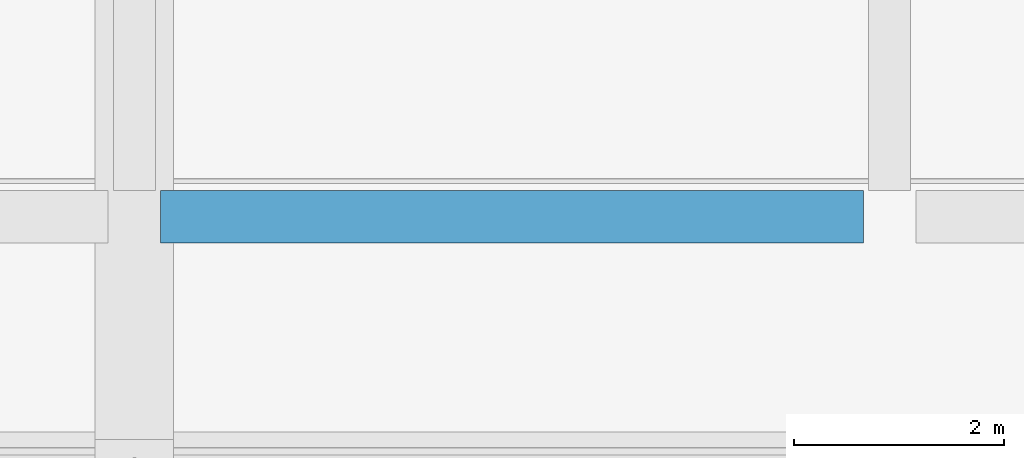
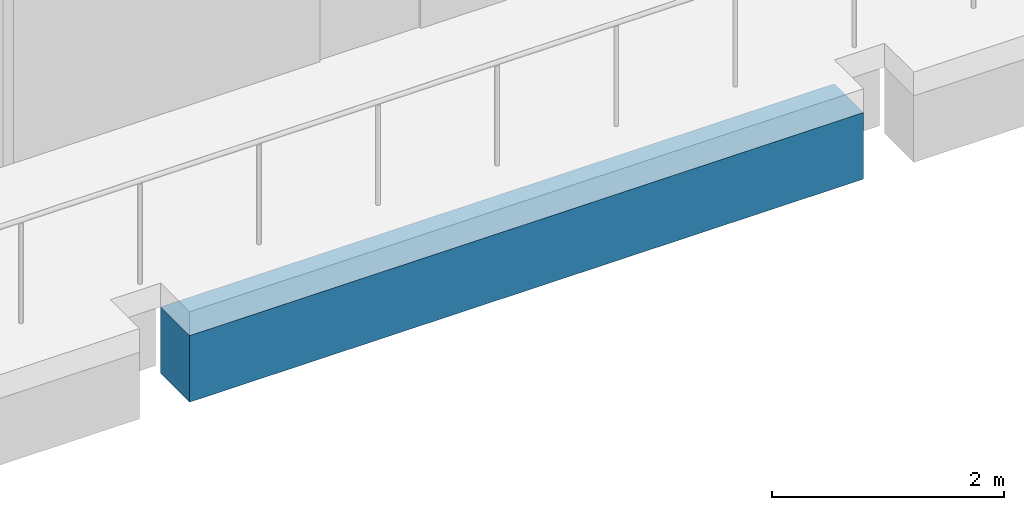
# One storey, part 66 of 149: 1 beam.
"""IFC4 building model written with IfcOpenShell, lengths in metres."""

from ifc_helpers import new_model, si_unit, direction, frame, origin, origin_2d, place, context, subcontext, project, spatial, rectangle, extrude, material, material_profile, profile_set, type_object, element, save


model = new_model("IFC4")

# Units and contexts
model_context = context("Model", 3, precision=1e-05, world=origin(), true_north=direction((0.0, 1.0)))
body_context = subcontext(model_context, "Body", "Model", "MODEL_VIEW")
ifc_project = project(units=[si_unit("LENGTHUNIT", "METRE"), si_unit("AREAUNIT", "SQUARE_METRE"), si_unit("VOLUMEUNIT", "CUBIC_METRE"), si_unit("PLANEANGLEUNIT", "RADIAN"), si_unit("MASSUNIT", "GRAM", prefix="KILO")], contexts=[model_context])

# Site, building, storey
site_placement = place(None, origin())
site = spatial("IfcSite", under=ifc_project, at=site_placement, CompositionType="ELEMENT")
building_placement = place(site_placement, origin())
building = spatial("IfcBuilding", under=site, at=building_placement, Name="Alderwick Market Hall", CompositionType="ELEMENT")
storey_placement = place(building_placement, frame((0.0, 0.0, 9.60009765625)))
storey = spatial("IfcBuildingStorey", under=building, at=storey_placement, Name="L01", CompositionType="ELEMENT", Elevation=9.60009765625)

# Beam
ifc_material = material(Name="Concrete 5000 psi (f'c 35 MPa)", Category="concrete")
ifc_material_profile = material_profile(ifc_material, rectangle(XDim=0.5, YDim=0.699951171875, at=origin_2d()), Name="RC 500x700")
ifc_profile_set = profile_set([ifc_material_profile], Name="Concrete 5000 psi (f'c 35 MPa)")
beam_type = type_object("IfcBeamType", Name="H Edge beam 500x700", PredefinedType="BEAM", material=ifc_profile_set)
beam_placement = place(storey_placement, frame((93.85009765625, 100.760009765625, -0.60009765625), z_axis=(1.0, 0.0, 0.0), x_axis=(0.0, 1.0, 0.0)))
element("IfcBeam", 1, at=beam_placement, inside=storey, type_object=beam_type, Name="Gallery edge beam N", PredefinedType="BEAM", context=body_context, shape_type="SweptSolid", body=[
    extrude(rectangle(XDim=0.5, YDim=0.699951171875, at=origin_2d()), origin(), (0.0, 0.0, 1.0), 6.699951171875),
])

save(model, "model.ifc")
